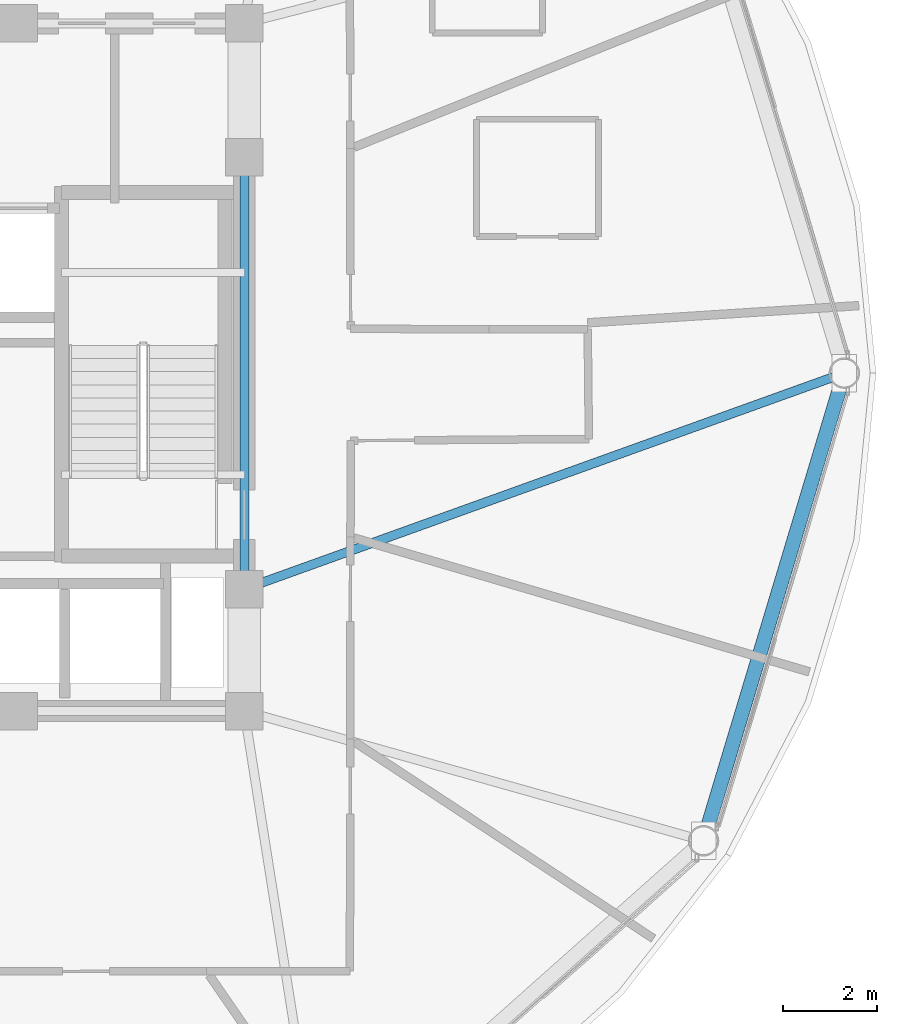
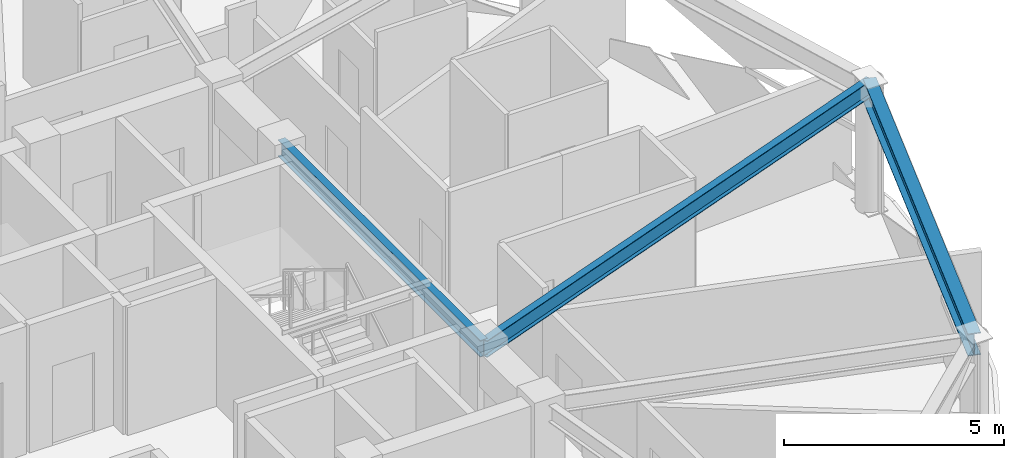
# One storey, part 13 of 30: 3 beams.
"""IFC4 building model written with IfcOpenShell, lengths in metres."""

from ifc_helpers import new_model, si_unit, direction, frame, origin, origin_2d, place, context, subcontext, project, spatial, i_section, extrude, material, material_profile, profile_set, type_object, element, save


model = new_model("IFC4")

# Units and contexts
model_context = context("Model", 3, precision=1e-05, world=origin(), true_north=direction((0.0, 1.0)))
body_context = subcontext(model_context, "Body", "Model", "MODEL_VIEW")
ifc_project = project(units=[si_unit("LENGTHUNIT", "METRE"), si_unit("AREAUNIT", "SQUARE_METRE"), si_unit("VOLUMEUNIT", "CUBIC_METRE"), si_unit("PLANEANGLEUNIT", "RADIAN"), si_unit("MASSUNIT", "GRAM", prefix="KILO")], contexts=[model_context])

# Site, building, storey
site_placement = place(None, origin())
site = spatial("IfcSite", under=ifc_project, at=site_placement, CompositionType="ELEMENT")
building_placement = place(site_placement, origin())
building = spatial("IfcBuilding", under=site, at=building_placement, Name="Vantalir Tower", CompositionType="ELEMENT")
storey_placement = place(building_placement, frame((0.0, 0.0, 201.14990234375)))
storey = spatial("IfcBuildingStorey", under=building, at=storey_placement, Name="L50", CompositionType="ELEMENT", Elevation=201.14990234375)

# Beams
ifc_material_1 = material(Name="Steel S355", Category="steel")
ifc_material_profile_1 = material_profile(ifc_material_1, i_section(OverallWidth=0.19189453125, OverallDepth=0.462890625, WebThickness=0.010498046875, FlangeThickness=0.017578125, at=origin_2d()), Name="Steel S355")
ifc_profile_set_1 = profile_set([ifc_material_profile_1], Name="Steel S355")
beam_type_1 = type_object("IfcBeamType", Name="BM-RB-457x191", PredefinedType="BEAM", material=ifc_profile_set_1)
beam_1_placement = place(storey_placement, frame((41.10009765625, 20.39990234375, 3.338134765625), z_axis=(0.0, 1.0, 0.0), x_axis=(-1.0, 0.0, 0.0)))
element("IfcBeam", 1, at=beam_1_placement, inside=storey, type_object=beam_type_1, Name="L50 Core Coupling Girder 06", PredefinedType="BEAM", context=body_context, shape_type="SweptSolid", body=[
    extrude(i_section(OverallWidth=0.19189453125, OverallDepth=0.462890625, WebThickness=0.010498046875, FlangeThickness=0.017578125, at=origin_2d()), origin(), (0.0, 0.0, 1.0), 9.2001953125),
])
beam_2_placement = place(storey_placement, frame((53.882080078125, 25.0, 3.338134765625), z_axis=(-0.940920627421, -0.338627188652, 0.0), x_axis=(0.338627188652, -0.940920627421, 0.0)))
element("IfcBeam", 2, at=beam_2_placement, inside=storey, type_object=beam_type_1, Name="L50 Radial Floor Beam 01", PredefinedType="BEAM", context=body_context, shape_type="SweptSolid", body=[
    extrude(i_section(OverallWidth=0.19189453125, OverallDepth=0.462890625, WebThickness=0.010498046875, FlangeThickness=0.017578125, at=origin_2d()), origin(), (0.0, 0.0, 1.0), 13.58447265625),
])
ifc_material_2 = material(Name="Steel S460", Category="steel")
ifc_material_profile_2 = material_profile(ifc_material_2, i_section(OverallWidth=0.306884765625, OverallDepth=0.6201171875, WebThickness=0.01416015625, FlangeThickness=0.023681640625, at=origin_2d()), Name="Steel S460")
ifc_profile_set_2 = profile_set([ifc_material_profile_2], Name="Steel S460")
beam_type_2 = type_object("IfcBeamType", Name="BM-RG-610x305", PredefinedType="USERDEFINED", material=ifc_profile_set_2)
beam_3_placement = place(storey_placement, frame((50.883056640625, 15.037109375, 3.260009765625), z_axis=(0.288243302571, 0.957557203786, 0.0), x_axis=(-0.957557203786, 0.288243302571, 0.0)))
element("IfcBeam", 3, at=beam_3_placement, inside=storey, type_object=beam_type_2, Name="L50 Circumferential Ring Girder 12", ObjectType="GIRDER", PredefinedType="USERDEFINED", context=body_context, shape_type="SweptSolid", body=[
    extrude(i_section(OverallWidth=0.306884765625, OverallDepth=0.6201171875, WebThickness=0.01416015625, FlangeThickness=0.023681640625, at=origin_2d()), origin(), (0.0, 0.0, 1.0), 10.404541015625),
])

save(model, "model.ifc")
